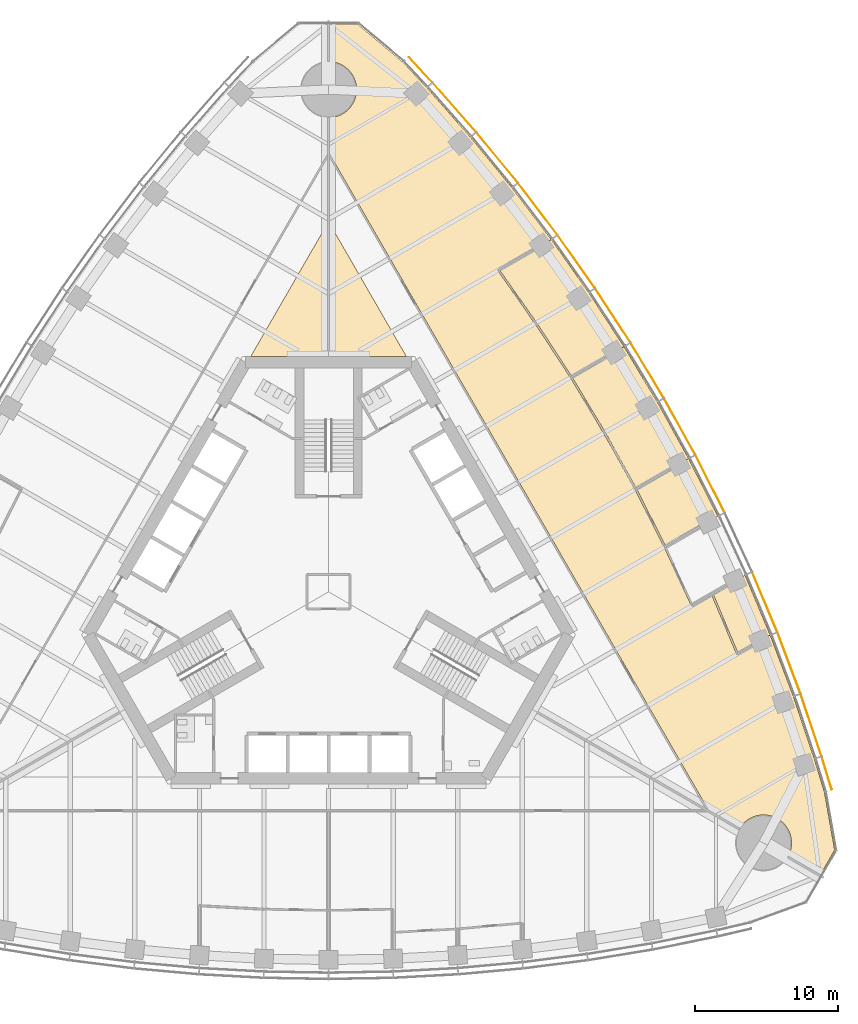
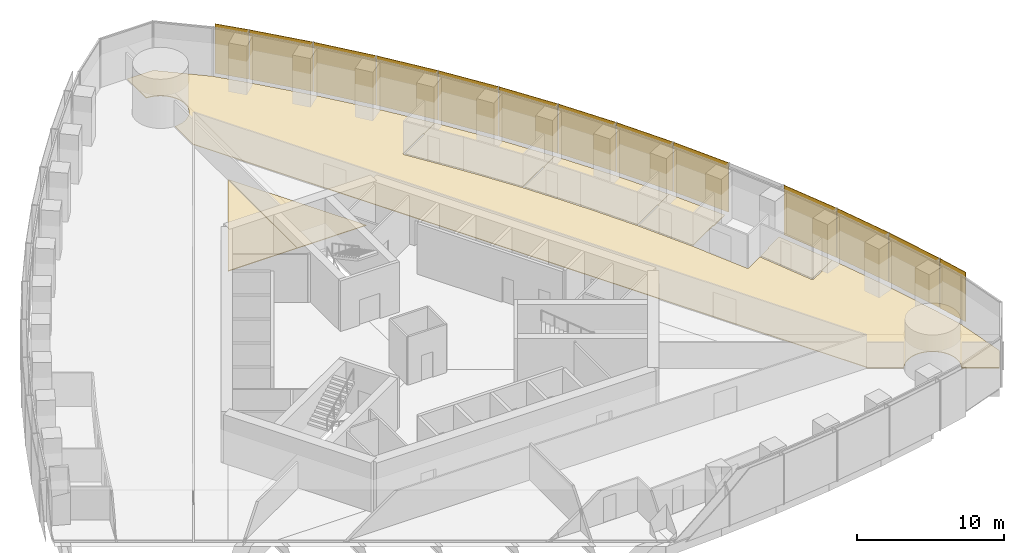
# One storey, part 17 of 19: 13 shading devices, 7 coverings.
"""IFC4 building model written with IfcOpenShell, lengths in metres."""

from ifc_helpers import new_model, si_unit, direction, frame, origin, origin_2d, place, context, subcontext, project, spatial, polyline, rectangle, outline, extrude, material, layer, layer_set, type_object, element, save


model = new_model("IFC4")

# Units and contexts
model_context = context("Model", 3, precision=1e-05, world=origin(), true_north=direction((0.0, 1.0)))
body_context = subcontext(model_context, "Body", "Model", "MODEL_VIEW")
ifc_project = project(units=[si_unit("LENGTHUNIT", "METRE"), si_unit("AREAUNIT", "SQUARE_METRE"), si_unit("VOLUMEUNIT", "CUBIC_METRE"), si_unit("PLANEANGLEUNIT", "RADIAN"), si_unit("MASSUNIT", "GRAM", prefix="KILO")], contexts=[model_context])

# Site, building, storey
site_placement = place(None, origin())
site = spatial("IfcSite", under=ifc_project, at=site_placement, CompositionType="ELEMENT")
building_placement = place(site_placement, origin())
building = spatial("IfcBuilding", under=site, at=building_placement, Name="Trefoil Bronze Tower", CompositionType="ELEMENT")
storey_placement = place(building_placement, frame((0.0, 0.0, 119.89990234375)))
storey = spatial("IfcBuildingStorey", under=building, at=storey_placement, Name="L27", CompositionType="ELEMENT", Elevation=119.89990234375)

# Shading devices
ifc_material_1 = material(Name="Perforated bronze sheet", Category="bronze")
ifc_layer_1 = layer(ifc_material_1, 0.0400390625)
ifc_layer_set_1 = layer_set([ifc_layer_1], Name="Bronze solar screen panel")
shading_device_type = type_object("IfcShadingDeviceType", Name="Bronze solar screen panel", PredefinedType="SHUTTER", material=ifc_layer_set_1)
shading_device_1_placement = place(storey_placement, frame((34.717529296875, -12.634765625, 0.050048828125), z_axis=(0.0, 0.0, 1.0), x_axis=(-0.291668676391, 0.956519410787, 0.0)))
element("IfcShadingDevice", 1, at=shading_device_1_placement, inside=storey, type_object=shading_device_type, Name="Solar screen CW-A L27 F2 bay 1", PredefinedType="SHUTTER", context=body_context, shape_type="SweptSolid", body=[
    extrude(rectangle(XDim=2.39013671875, YDim=0.0400390625, at=origin_2d()), origin(), (0.0, 0.0, 1.0), 4.10009765625),
])
shading_device_2_placement = place(storey_placement, frame((33.62890625, -9.286865234375, 0.050048828125), z_axis=(0.0, 0.0, 1.0), x_axis=(-0.318403749569, 0.947955195281, 0.0)))
element("IfcShadingDevice", 2, at=shading_device_2_placement, inside=storey, type_object=shading_device_type, Name="Solar screen CW-A L27 F2 bay 2", PredefinedType="SHUTTER", context=body_context, shape_type="SweptSolid", body=[
    extrude(rectangle(XDim=4.56103515625, YDim=0.0400390625, at=origin_2d()), origin(), (0.0, 0.0, 1.0), 4.10009765625),
])
shading_device_3_placement = place(storey_placement, frame((32.086669921875, -4.95849609375, 0.050048828125), z_axis=(0.0, 0.0, 1.0), x_axis=(-0.352919739707, 0.935653599002, 0.0)))
element("IfcShadingDevice", 3, at=shading_device_3_placement, inside=storey, type_object=shading_device_type, Name="Solar screen CW-A L27 F2 bay 3", PredefinedType="SHUTTER", context=body_context, shape_type="SweptSolid", body=[
    extrude(rectangle(XDim=4.5302734375, YDim=0.0400390625, at=origin_2d()), origin(), (0.0, 0.0, 1.0), 4.10009765625),
])
shading_device_4_placement = place(storey_placement, frame((30.3974609375, -0.715087890625, 0.050048828125), z_axis=(0.0, 0.0, 1.0), x_axis=(-0.386759234303, 0.922180727776, 0.0)))
element("IfcShadingDevice", 4, at=shading_device_4_placement, inside=storey, type_object=shading_device_type, Name="Solar screen CW-A L27 F2 bay 4", PredefinedType="SHUTTER", context=body_context, shape_type="SweptSolid", body=[
    extrude(rectangle(XDim=4.50634765625, YDim=0.0400390625, at=origin_2d()), origin(), (0.0, 0.0, 1.0), 4.10009765625),
])
shading_device_5_placement = place(storey_placement, frame((26.5869140625, 7.52197265625, 0.050048828125), z_axis=(0.0, 0.0, 1.0), x_axis=(-0.452448919686, 0.891790320128, 0.0)))
element("IfcShadingDevice", 5, at=shading_device_5_placement, inside=storey, type_object=shading_device_type, Name="Solar screen CW-A L27 F2 bay 6", PredefinedType="SHUTTER", context=body_context, shape_type="SweptSolid", body=[
    extrude(rectangle(XDim=4.4765625, YDim=0.0400390625, at=origin_2d()), origin(), (0.0, 0.0, 1.0), 4.10009765625),
])
for number, where, z_axis, x_axis, name in (
    (6, (24.468505859375, 11.517578125, 0.050048828125), (0.0, 0.0, 1.0), (-0.484312195836, 0.874895249138, 0.0), "Solar screen CW-A L27 F2 bay 7"),
    (7, (22.208740234375, 15.431396484375, 0.050048828125), (0.0, 0.0, 1.0), (-0.515525413486, 0.856874289526, 0.0), "Solar screen CW-A L27 F2 bay 8"),
):
    element("IfcShadingDevice", number, at=place(storey_placement, frame(where, z_axis=z_axis, x_axis=x_axis)), inside=storey, type_object=shading_device_type, Name=name, PredefinedType="SHUTTER", context=body_context, shape_type="SweptSolid", body=[
        extrude(rectangle(XDim=4.470703125, YDim=0.0400390625, at=origin_2d()), origin(), (0.0, 0.0, 1.0), 4.10009765625),
    ])
shading_device_6_placement = place(storey_placement, frame((19.8076171875, 19.263916015625, 0.050048828125), z_axis=(0.0, 0.0, 1.0), x_axis=(-0.546088612237, 0.837727418427, 0.0)))
element("IfcShadingDevice", 8, at=shading_device_6_placement, inside=storey, type_object=shading_device_type, Name="Solar screen CW-A L27 F2 bay 9", PredefinedType="SHUTTER", context=body_context, shape_type="SweptSolid", body=[
    extrude(rectangle(XDim=4.4765625, YDim=0.0400390625, at=origin_2d()), origin(), (0.0, 0.0, 1.0), 4.10009765625),
])
shading_device_7_placement = place(storey_placement, frame((17.264892578125, 23.014404296875, 0.050048828125), z_axis=(0.0, 0.0, 1.0), x_axis=(-0.575999283275, 0.817450197667, 0.0)))
element("IfcShadingDevice", 9, at=shading_device_7_placement, inside=storey, type_object=shading_device_type, Name="Solar screen CW-A L27 F2 bay 10", PredefinedType="SHUTTER", context=body_context, shape_type="SweptSolid", body=[
    extrude(rectangle(XDim=4.48828125, YDim=0.0400390625, at=origin_2d()), origin(), (0.0, 0.0, 1.0), 4.10009765625),
])
shading_device_8_placement = place(storey_placement, frame((14.579345703125, 26.6826171875, 0.050048828125), z_axis=(0.0, 0.0, 1.0), x_axis=(-0.605252319983, 0.796033685943, 0.0)))
element("IfcShadingDevice", 10, at=shading_device_8_placement, inside=storey, type_object=shading_device_type, Name="Solar screen CW-A L27 F2 bay 11", PredefinedType="SHUTTER", context=body_context, shape_type="SweptSolid", body=[
    extrude(rectangle(XDim=4.50634765625, YDim=0.0400390625, at=origin_2d()), origin(), (0.0, 0.0, 1.0), 4.10009765625),
])
shading_device_9_placement = place(storey_placement, frame((11.7490234375, 30.26708984375, 0.050048828125), z_axis=(0.0, 0.0, 1.0), x_axis=(-0.633839916024, 0.773464259584, 0.0)))
element("IfcShadingDevice", 11, at=shading_device_9_placement, inside=storey, type_object=shading_device_type, Name="Solar screen CW-A L27 F2 bay 12", PredefinedType="SHUTTER", context=body_context, shape_type="SweptSolid", body=[
    extrude(rectangle(XDim=4.5302734375, YDim=0.0400390625, at=origin_2d()), origin(), (0.0, 0.0, 1.0), 4.10009765625),
])
shading_device_10_placement = place(storey_placement, frame((8.77197265625, 33.766845703125, 0.050048828125), z_axis=(0.0, 0.0, 1.0), x_axis=(-0.661751405978, 0.749723333428, 0.0)))
element("IfcShadingDevice", 12, at=shading_device_10_placement, inside=storey, type_object=shading_device_type, Name="Solar screen CW-A L27 F2 bay 13", PredefinedType="SHUTTER", context=body_context, shape_type="SweptSolid", body=[
    extrude(rectangle(XDim=4.56103515625, YDim=0.0400390625, at=origin_2d()), origin(), (0.0, 0.0, 1.0), 4.10009765625),
])
shading_device_11_placement = place(storey_placement, frame((6.416748046875, 36.383544921875, 0.050048828125), z_axis=(0.0, 0.0, 1.0), x_axis=(-0.682535770759, 0.730852188636, 0.0)))
element("IfcShadingDevice", 13, at=shading_device_11_placement, inside=storey, type_object=shading_device_type, Name="Solar screen CW-A L27 F2 bay 14", PredefinedType="SHUTTER", context=body_context, shape_type="SweptSolid", body=[
    extrude(rectangle(XDim=2.39013671875, YDim=0.0400390625, at=origin_2d()), origin(), (0.0, 0.0, 1.0), 4.10009765625),
])

# Coverings
ifc_material_2 = material(Name="Raised access floor panels", Category="steel")
ifc_layer_2 = layer(ifc_material_2, 0.050048828125)
ifc_layer_set_2 = layer_set([ifc_layer_2], Name="Raised access floor 150")
covering_type = type_object("IfcCoveringType", Name="Raised access floor 150", PredefinedType="FLOORING", material=ifc_layer_set_2)
covering_1_placement = place(storey_placement, frame((0.0, 0.0, 0.10009765625)))
element("IfcCovering", 14, at=covering_1_placement, inside=storey, type_object=covering_type, Name="Raised floor L27 Office F2", PredefinedType="FLOORING", context=body_context, shape_type="SweptSolid", body=[
    extrude(outline(polyline([(20.585693359375, 17.081298828125), (19.30322265625, 16.3408203125), (19.273193359375, 16.392822265625), (16.924560546875, 15.036865234375), (14.494384765625, 18.764404296875), (14.444091796875, 18.731689453125), (14.493408203125, 18.766357421875), (11.928466796875, 22.406005859375), (14.262939453125, 23.75390625), (14.23291015625, 23.805908203125), (15.522216796875, 24.55029296875), (18.124755859375, 20.856689453125), (20.585693359375, 17.081298828125)])), origin(), (0.0, 0.0, 1.0), 0.050048828125),
])
covering_2_placement = place(storey_placement, frame((0.0, 0.0, 0.10009765625)))
element("IfcCovering", 15, at=covering_2_placement, inside=storey, type_object=covering_type, Name="Raised floor L27 Office F2", PredefinedType="FLOORING", context=body_context, shape_type="SweptSolid", body=[
    extrude(outline(polyline([(22.906005859375, 13.224853515625), (25.085693359375, 9.287109375), (23.80322265625, 8.546630859375), (23.773193359375, 8.5986328125), (21.427978515625, 7.24462890625), (19.278076171875, 11.12890625), (19.2255859375, 11.099853515625), (19.27685546875, 11.130859375), (16.988037109375, 14.93505859375), (19.333251953125, 16.2890625), (19.30322265625, 16.3408203125), (20.585693359375, 17.081298828125), (22.906005859375, 13.224853515625)])), origin(), (0.0, 0.0, 1.0), 0.050048828125),
])
covering_3_placement = place(storey_placement, frame((0.0, 0.0, 0.10009765625)))
element("IfcCovering", 16, at=covering_3_placement, inside=storey, type_object=covering_type, Name="Raised floor L27 Meeting room F2", PredefinedType="FLOORING", context=body_context, shape_type="SweptSolid", body=[
    extrude(outline(polyline([(25.085693359375, 9.287109375), (27.124755859375, 5.268310546875), (25.83984375, 4.5263671875), (25.809814453125, 4.578369140625), (23.468994140625, 3.226806640625), (21.484619140625, 7.138671875), (23.833251953125, 8.49462890625), (23.80322265625, 8.546630859375), (25.085693359375, 9.287109375)])), origin(), (0.0, 0.0, 1.0), 0.050048828125),
])
covering_4_placement = place(storey_placement, frame((0.0, 0.0, 0.10009765625)))
element("IfcCovering", 17, at=covering_4_placement, inside=storey, type_object=covering_type, Name="Raised floor L27 Print and store room F2", PredefinedType="FLOORING", context=body_context, shape_type="SweptSolid", body=[
    extrude(outline(polyline([(29.022216796875, 1.16748046875), (30.776611328125, -3.015625), (29.4814453125, -3.763427734375), (29.451416015625, -3.71142578125), (28.523681640625, -4.247314453125), (26.816162109375, -0.175537109375), (27.762939453125, 0.371337890625), (27.73291015625, 0.423095703125), (29.022216796875, 1.16748046875)])), origin(), (0.0, 0.0, 1.0), 0.050048828125),
])
covering_5_placement = place(storey_placement, frame((0.0, 0.0, 0.10009765625)))
element("IfcCovering", 18, at=covering_5_placement, inside=storey, type_object=covering_type, Name="Raised floor L27 Trading floor F2", PredefinedType="FLOORING", context=body_context, shape_type="SweptSolid", body=[
    extrude(outline(polyline([(12.776611328125, 28.1611328125), (15.522216796875, 24.55029296875), (14.23291015625, 23.805908203125), (14.202880859375, 23.85791015625), (11.811767578125, 22.477294921875), (11.841796875, 22.42529296875), (11.79248046875, 22.390625), (13.70751953125, 19.673095703125), (15.044189453125, 17.701416015625), (16.8544921875, 14.924560546875), (18.570068359375, 12.072998046875), (19.740478515625, 10.045654296875), (21.352294921875, 7.134033203125), (23.39013671875, 3.1171875), (25.287109375, -0.982666015625), (25.341796875, -0.95751953125), (25.37158203125, -1.009521484375), (26.711181640625, -0.236083984375), (28.439453125, -4.3564453125), (28.49462890625, -4.333251953125), (28.524658203125, -4.385009765625), (29.511474609375, -3.8154296875), (29.4814453125, -3.763427734375), (30.776611328125, -3.015625), (32.385986328125, -7.28271484375), (33.847900390625, -11.634765625), (34.5537109375, -13.94970703125), (35.2666015625, -17.99169921875), (34.247802734375, -19.755859375), (32.006103515625, -18.462646484375), (32.030517578125, -18.419189453125), (32.07373046875, -18.333740234375), (32.112548828125, -18.24609375), (32.14697265625, -18.156982421875), (32.177001953125, -18.066162109375), (32.202392578125, -17.973876953125), (32.223388671875, -17.88037109375), (32.23974609375, -17.7861328125), (32.25146484375, -17.691162109375), (32.258544921875, -17.595703125), (32.260986328125, -17.5), (32.258544921875, -17.404296875), (32.25146484375, -17.308837890625), (32.23974609375, -17.2138671875), (32.223388671875, -17.11962890625), (32.202392578125, -17.026123046875), (32.177001953125, -16.933837890625), (32.14697265625, -16.843017578125), (32.112548828125, -16.75390625), (32.07373046875, -16.666259765625), (32.030517578125, -16.580810546875), (31.9833984375, -16.49755859375), (31.932373046875, -16.41650390625), (31.877197265625, -16.33837890625), (31.818359375, -16.262939453125), (31.755615234375, -16.1904296875), (31.689697265625, -16.12109375), (31.620361328125, -16.05517578125), (31.548095703125, -15.99267578125), (31.472412109375, -15.93359375), (31.394287109375, -15.878662109375), (31.3134765625, -15.827392578125), (31.22998046875, -15.7802734375), (31.14453125, -15.7373046875), (31.05712890625, -15.698486328125), (30.9677734375, -15.6640625), (30.876953125, -15.634033203125), (30.78466796875, -15.6083984375), (30.69140625, -15.58740234375), (30.596923828125, -15.571044921875), (30.501953125, -15.559326171875), (30.406494140625, -15.55224609375), (30.310791015625, -15.550048828125), (30.215087890625, -15.55224609375), (30.119873046875, -15.559326171875), (30.02490234375, -15.571044921875), (29.930419921875, -15.58740234375), (29.837158203125, -15.6083984375), (29.744873046875, -15.634033203125), (29.654052734375, -15.6640625), (29.564697265625, -15.698486328125), (29.477294921875, -15.7373046875), (29.3916015625, -15.7802734375), (29.308349609375, -15.827392578125), (29.2275390625, -15.878662109375), (29.1494140625, -15.93359375), (29.07373046875, -15.99267578125), (29.001220703125, -16.05517578125), (28.931884765625, -16.12109375), (28.865966796875, -16.1904296875), (28.803466796875, -16.262939453125), (28.74462890625, -16.33837890625), (28.689453125, -16.41650390625), (28.628662109375, -16.514404296875), (26.40966796875, -15.234375), (26.466552734375, -15.201416015625), (0.068359375, 30.521484375), (0.011474609375, 30.488525390625), (0.012451171875, 33.05029296875), (0.095703125, 33.05224609375), (0.191162109375, 33.059326171875), (0.2861328125, 33.071044921875), (0.38037109375, 33.08740234375), (0.473876953125, 33.1083984375), (0.566162109375, 33.134033203125), (0.656982421875, 33.1640625), (0.74609375, 33.198486328125), (0.833740234375, 33.2373046875), (0.919189453125, 33.2802734375), (1.00244140625, 33.327392578125), (1.08349609375, 33.378662109375), (1.16162109375, 33.43359375), (1.237060546875, 33.49267578125), (1.3095703125, 33.55517578125), (1.37890625, 33.62109375), (1.44482421875, 33.6904296875), (1.50732421875, 33.762939453125), (1.56640625, 33.83837890625), (1.621337890625, 33.91650390625), (1.672607421875, 33.99755859375), (1.7197265625, 34.080810546875), (1.7626953125, 34.166259765625), (1.801513671875, 34.25390625), (1.8359375, 34.343017578125), (1.865966796875, 34.433837890625), (1.8916015625, 34.526123046875), (1.91259765625, 34.61962890625), (1.928955078125, 34.7138671875), (1.940673828125, 34.808837890625), (1.94775390625, 34.904296875), (1.949951171875, 35.0), (1.94775390625, 35.095703125), (1.940673828125, 35.191162109375), (1.928955078125, 35.2861328125), (1.91259765625, 35.38037109375), (1.8916015625, 35.473876953125), (1.865966796875, 35.566162109375), (1.8359375, 35.656982421875), (1.801513671875, 35.74609375), (1.7626953125, 35.833740234375), (1.7197265625, 35.919189453125), (1.672607421875, 36.00244140625), (1.621337890625, 36.08349609375), (1.56640625, 36.16162109375), (1.50732421875, 36.237060546875), (1.44482421875, 36.3095703125), (1.37890625, 36.37890625), (1.3095703125, 36.44482421875), (1.237060546875, 36.50732421875), (1.16162109375, 36.56640625), (1.08349609375, 36.621337890625), (1.00244140625, 36.672607421875), (0.919189453125, 36.7197265625), (0.833740234375, 36.7626953125), (0.74609375, 36.801513671875), (0.656982421875, 36.8359375), (0.566162109375, 36.865966796875), (0.473876953125, 36.8916015625), (0.38037109375, 36.91259765625), (0.2861328125, 36.928955078125), (0.191162109375, 36.940673828125), (0.095703125, 36.94775390625), (0.013916015625, 36.94970703125), (0.014892578125, 39.53759765625), (2.052001953125, 39.53759765625), (5.1962890625, 36.8994140625), (6.847900390625, 35.130615234375), (9.885986328125, 31.6884765625), (12.776611328125, 28.1611328125)])), origin(), (0.0, 0.0, 1.0), 0.050048828125),
])
covering_6_placement = place(storey_placement, frame((0.0, 0.0, 0.10009765625)))
element("IfcCovering", 19, at=covering_6_placement, inside=storey, type_object=covering_type, Name="Raised floor L27 Trading floor F2", PredefinedType="FLOORING", context=body_context, shape_type="SweptSolid", body=[
    extrude(outline(polyline([(0.006103515625, 16.39990234375), (0.009765625, 25.783203125), (5.427001953125, 16.39990234375), (0.006103515625, 16.39990234375)])), origin(), (0.0, 0.0, 1.0), 0.050048828125),
])
covering_7_placement = place(storey_placement, frame((0.0, 0.0, 0.10009765625)))
element("IfcCovering", 20, at=covering_7_placement, inside=storey, type_object=covering_type, Name="Raised floor L27 Operations floor F3", PredefinedType="FLOORING", context=body_context, shape_type="SweptSolid", body=[
    extrude(outline(polyline([(-0.009765625, 25.783203125), (-0.006103515625, 16.39990234375), (-5.427001953125, 16.39990234375), (-0.009765625, 25.783203125)])), origin(), (0.0, 0.0, 1.0), 0.050048828125),
])

save(model, "model.ifc")
